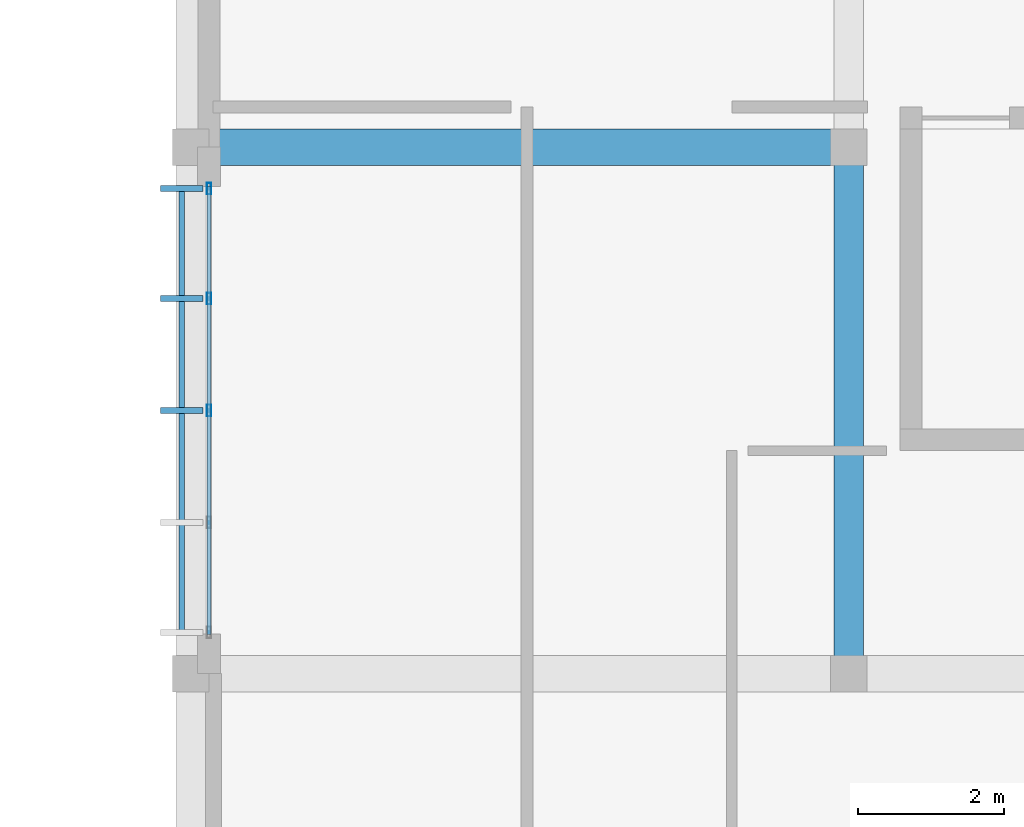
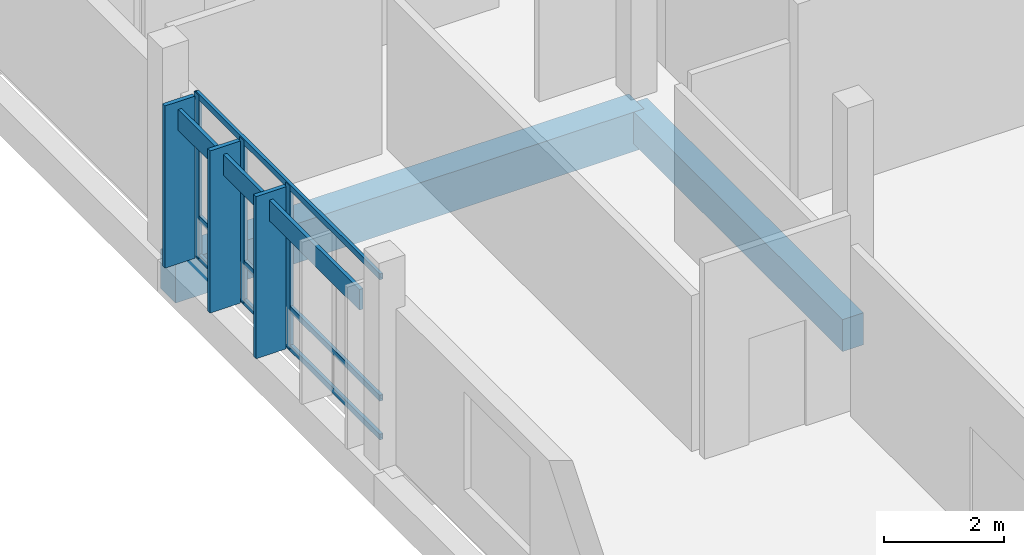
# One storey, part 6 of 24: 10 members, 2 beams, 1 element without a shape of its own.
"""IFC4 building model written with IfcOpenShell, lengths in metres."""

from ifc_helpers import new_model, si_unit, direction, frame, origin, origin_2d, place, context, subcontext, project, spatial, rectangle, hollow_rectangle, extrude, material, material_profile, profile_set, type_object, element, aggregate, save


model = new_model("IFC4")

# Units and contexts
model_context = context("Model", 3, precision=1e-05, world=origin(), true_north=direction((0.0, 1.0)))
body_context = subcontext(model_context, "Body", "Model", "MODEL_VIEW")
ifc_project = project(units=[si_unit("LENGTHUNIT", "METRE"), si_unit("AREAUNIT", "SQUARE_METRE"), si_unit("VOLUMEUNIT", "CUBIC_METRE"), si_unit("PLANEANGLEUNIT", "RADIAN"), si_unit("MASSUNIT", "GRAM", prefix="KILO")], contexts=[model_context])

# Site, building, storey
site_placement = place(None, origin())
site = spatial("IfcSite", under=ifc_project, at=site_placement, CompositionType="ELEMENT")
building_placement = place(site_placement, origin())
building = spatial("IfcBuilding", under=site, at=building_placement, Name="Chiffa Square Polytechnic", CompositionType="ELEMENT")
storey_placement = place(building_placement, frame((0.0, 0.0, 22.199951171875)))
storey = spatial("IfcBuildingStorey", under=building, at=storey_placement, Name="L05", CompositionType="ELEMENT", Elevation=22.199951171875)

# Beams
ifc_material_1 = material(Name="Concrete C35/45", Category="concrete")
ifc_material_profile_1 = material_profile(ifc_material_1, rectangle(XDim=0.39990234375, YDim=0.64990234375, at=origin_2d()), Name="RC 400x650")
ifc_profile_set_1 = profile_set([ifc_material_profile_1], Name="Concrete C35/45")
beam_type_1 = type_object("IfcBeamType", Name="BM-RC-400X650", PredefinedType="BEAM", material=ifc_profile_set_1)
beam_1_placement = place(storey_placement, frame((121.199951171875, 14.39990234375, -0.5849609375), z_axis=(0.0, 1.0, 0.0), x_axis=(-1.0, 0.0, 0.0)))
element("IfcBeam", 1, at=beam_1_placement, inside=storey, type_object=beam_type_1, Name="Primary floor girder BM-V1-L05-Y-1212-0144", PredefinedType="BEAM", context=body_context, shape_type="SweptSolid", body=[
    extrude(rectangle(XDim=0.39990234375, YDim=0.64990234375, at=origin_2d()), origin(), (0.0, 0.0, 1.0), 7.2001953125),
])
ifc_material_2 = material(Name="Concrete C40/50", Category="concrete")
ifc_material_profile_2 = material_profile(ifc_material_2, rectangle(XDim=0.5, YDim=0.800048828125, at=origin_2d()), Name="RC 500x800")
ifc_profile_set_2 = profile_set([ifc_material_profile_2], Name="Concrete C40/50")
beam_type_2 = type_object("IfcBeamType", Name="BM-RC-500X800", PredefinedType="BEAM", material=ifc_profile_set_2)
beam_2_placement = place(storey_placement, frame((112.199951171875, 21.60009765625, -0.659912109375), z_axis=(1.0, 0.0, 0.0), x_axis=(0.0, 1.0, 0.0)))
element("IfcBeam", 2, at=beam_2_placement, inside=storey, type_object=beam_type_2, Name="Primary floor girder BM-V1-L05-X-1122-0216", PredefinedType="BEAM", context=body_context, shape_type="SweptSolid", body=[
    extrude(rectangle(XDim=0.5, YDim=0.800048828125, at=origin_2d()), origin(), (0.0, 0.0, 1.0), 9.0),
])

# Curtain wall, members
ifc_material_3 = material(Name="Aluminium EN AW-6060 T66 and glulam shading", Category="wood")
curtain_wall_type = type_object("IfcCurtainWallType", Name="CW-VERT-360X380", PredefinedType="USERDEFINED", material=ifc_material_3)
curtain_wall_placement = place(storey_placement, origin())
curtain_wall = element("IfcCurtainWall", 3, at=curtain_wall_placement, inside=storey, type_object=curtain_wall_type, Name="Curtain wall CW-V1-L05-141", ObjectType="CURTAIN WALL", PredefinedType="USERDEFINED")
ifc_material_4 = material(Name="Aluminium EN AW-6060 T66", Category="aluminium")
ifc_material_profile_3 = material_profile(ifc_material_4, hollow_rectangle(XDim=0.06005859375, YDim=0.159912109375, WallThickness=0.00390625, at=origin_2d()), Name="ALU 60x160x4")
ifc_profile_set_3 = profile_set([ifc_material_profile_3], Name="Aluminium EN AW-6060 T66")
member_type_1 = type_object("IfcMemberType", Name="CWM-ALU-65X150", PredefinedType="MULLION", material=ifc_profile_set_3)
member_1_placement = place(storey_placement, frame((112.449951171875, 21.034912109375, 0.0), z_axis=(0.0, 0.0, 1.0), x_axis=(1.0, 0.0, 0.0)))
member_1 = element("IfcMember", 4, at=member_1_placement, type_object=member_type_1, Name="Curtain wall mullion CW-V1-L05-141-M00", PredefinedType="MULLION", context=body_context, shape_type="SweptSolid", body=[
    extrude(hollow_rectangle(XDim=0.06005859375, YDim=0.159912109375, WallThickness=0.00390625, at=origin_2d()), origin(), (0.0, 0.0, 1.0), 3.31494140625),
])
member_2_placement = place(storey_placement, frame((112.449951171875, 19.530029296875, 0.0), z_axis=(0.0, 0.0, 1.0), x_axis=(1.0, 0.0, 0.0)))
member_2 = element("IfcMember", 5, at=member_2_placement, type_object=member_type_1, Name="Curtain wall mullion CW-V1-L05-141-M01", PredefinedType="MULLION", context=body_context, shape_type="SweptSolid", body=[
    extrude(hollow_rectangle(XDim=0.06005859375, YDim=0.159912109375, WallThickness=0.00390625, at=origin_2d()), origin(), (0.0, 0.0, 1.0), 3.31494140625),
])
member_3_placement = place(storey_placement, frame((112.449951171875, 18.0, 0.0), z_axis=(0.0, 0.0, 1.0), x_axis=(1.0, 0.0, 0.0)))
member_3 = element("IfcMember", 6, at=member_3_placement, type_object=member_type_1, Name="Curtain wall mullion CW-V1-L05-141-M02", PredefinedType="MULLION", context=body_context, shape_type="SweptSolid", body=[
    extrude(hollow_rectangle(XDim=0.06005859375, YDim=0.159912109375, WallThickness=0.00390625, at=origin_2d()), origin(), (0.0, 0.0, 1.0), 3.31494140625),
])
ifc_material_5 = material(Name="Glulam GL28h", Category="wood")
ifc_material_profile_4 = material_profile(ifc_material_5, rectangle(XDim=0.080078125, YDim=0.580078125, at=origin_2d()), Name="GL28h 80x580")
ifc_profile_set_4 = profile_set([ifc_material_profile_4], Name="Glulam GL28h")
member_type_2 = type_object("IfcMemberType", Name="CWM-GL-80X580", PredefinedType="MULLION", material=ifc_profile_set_4)
member_4_placement = place(storey_placement, frame((112.077880859375, 21.034912109375, 0.010009765625), z_axis=(0.0, 0.0, 1.0), x_axis=(0.0, -1.0, 0.0)))
member_4 = element("IfcMember", 7, at=member_4_placement, type_object=member_type_2, Name="Exterior glulam solar fin CW-V1-L05-141-FN00", PredefinedType="MULLION", context=body_context, shape_type="SweptSolid", body=[
    extrude(rectangle(XDim=0.080078125, YDim=0.580078125, at=origin_2d()), origin(), (0.0, 0.0, 1.0), 3.294921875),
])
member_5_placement = place(storey_placement, frame((112.077880859375, 19.530029296875, 0.010009765625), z_axis=(0.0, 0.0, 1.0), x_axis=(0.0, -1.0, 0.0)))
member_5 = element("IfcMember", 8, at=member_5_placement, type_object=member_type_2, Name="Exterior glulam solar fin CW-V1-L05-141-FN01", PredefinedType="MULLION", context=body_context, shape_type="SweptSolid", body=[
    extrude(rectangle(XDim=0.080078125, YDim=0.580078125, at=origin_2d()), origin(), (0.0, 0.0, 1.0), 3.294921875),
])
member_6_placement = place(storey_placement, frame((112.077880859375, 18.0, 0.010009765625), z_axis=(0.0, 0.0, 1.0), x_axis=(0.0, -1.0, 0.0)))
member_6 = element("IfcMember", 9, at=member_6_placement, type_object=member_type_2, Name="Exterior glulam solar fin CW-V1-L05-141-FN02", PredefinedType="MULLION", context=body_context, shape_type="SweptSolid", body=[
    extrude(rectangle(XDim=0.080078125, YDim=0.580078125, at=origin_2d()), origin(), (0.0, 0.0, 1.0), 3.294921875),
])
ifc_material_profile_5 = material_profile(ifc_material_4, hollow_rectangle(XDim=0.06005859375, YDim=0.1201171875, WallThickness=0.00390625, at=origin_2d()), Name="ALU 60x120x4")
ifc_profile_set_5 = profile_set([ifc_material_profile_5], Name="Aluminium EN AW-6060 T66")
member_type_3 = type_object("IfcMemberType", Name="CWT-ALU-65X120", PredefinedType="USERDEFINED", material=ifc_profile_set_5)
member_7_placement = place(storey_placement, frame((112.449951171875, 21.06201171875, 0.030029296875), z_axis=(0.0, -1.0, 0.0), x_axis=(1.0, 0.0, 0.0)))
member_7 = element("IfcMember", 10, at=member_7_placement, type_object=member_type_3, Name="Curtain wall transom CW-V1-L05-141-T01", ObjectType="TRANSOM", PredefinedType="USERDEFINED", context=body_context, shape_type="SweptSolid", body=[
    extrude(hollow_rectangle(XDim=0.06005859375, YDim=0.1201171875, WallThickness=0.00390625, at=origin_2d()), origin(), (0.0, 0.0, 1.0), 6.1240234375),
])
member_8_placement = place(storey_placement, frame((112.449951171875, 21.06201171875, 0.820068359375), z_axis=(0.0, -1.0, 0.0), x_axis=(1.0, 0.0, 0.0)))
member_8 = element("IfcMember", 11, at=member_8_placement, type_object=member_type_3, Name="Curtain wall transom CW-V1-L05-141-T02", ObjectType="TRANSOM", PredefinedType="USERDEFINED", context=body_context, shape_type="SweptSolid", body=[
    extrude(hollow_rectangle(XDim=0.06005859375, YDim=0.1201171875, WallThickness=0.00390625, at=origin_2d()), origin(), (0.0, 0.0, 1.0), 6.1240234375),
])
member_9_placement = place(storey_placement, frame((112.449951171875, 21.06201171875, 3.28515625), z_axis=(0.0, -1.0, 0.0), x_axis=(1.0, 0.0, 0.0)))
member_9 = element("IfcMember", 12, at=member_9_placement, type_object=member_type_3, Name="Curtain wall transom CW-V1-L05-141-T03", ObjectType="TRANSOM", PredefinedType="USERDEFINED", context=body_context, shape_type="SweptSolid", body=[
    extrude(hollow_rectangle(XDim=0.06005859375, YDim=0.1201171875, WallThickness=0.00390625, at=origin_2d()), origin(), (0.0, 0.0, 1.0), 6.1240234375),
])
ifc_material_profile_6 = material_profile(ifc_material_5, rectangle(XDim=0.070068359375, YDim=0.419921875, at=origin_2d()), Name="GL28h 70x420")
ifc_profile_set_6 = profile_set([ifc_material_profile_6], Name="Glulam GL28h")
member_type_4 = type_object("IfcMemberType", Name="CWT-GL-70X420", PredefinedType="USERDEFINED", material=ifc_profile_set_6)
member_10_placement = place(storey_placement, frame((112.077880859375, 21.034912109375, 2.93505859375), z_axis=(0.0, -1.0, 0.0), x_axis=(1.0, 0.0, 0.0)))
member_10 = element("IfcMember", 13, at=member_10_placement, type_object=member_type_4, Name="Exterior glulam brise-soleil CW-V1-L05-141-BS01", ObjectType="TRANSOM", PredefinedType="USERDEFINED", context=body_context, shape_type="SweptSolid", body=[
    extrude(rectangle(XDim=0.070068359375, YDim=0.419921875, at=origin_2d()), origin(), (0.0, 0.0, 1.0), 6.06982421875),
])
aggregate(curtain_wall, [member_1, member_4, member_2, member_5, member_3, member_6, member_7, member_8, member_9, member_10])

save(model, "model.ifc")
